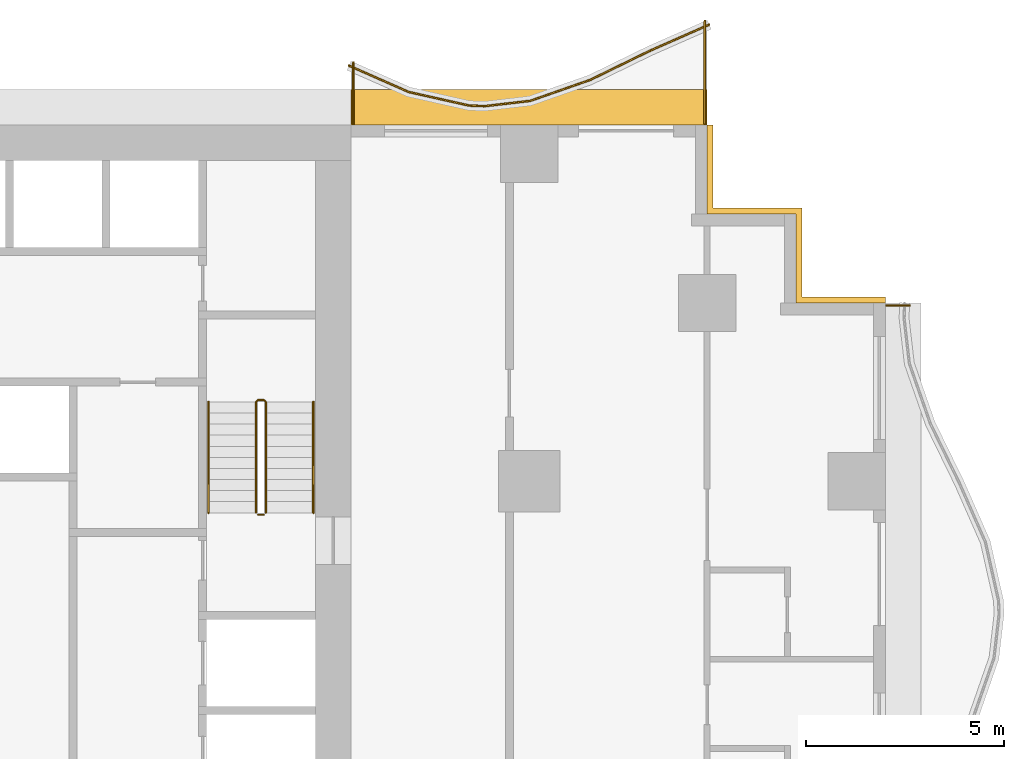
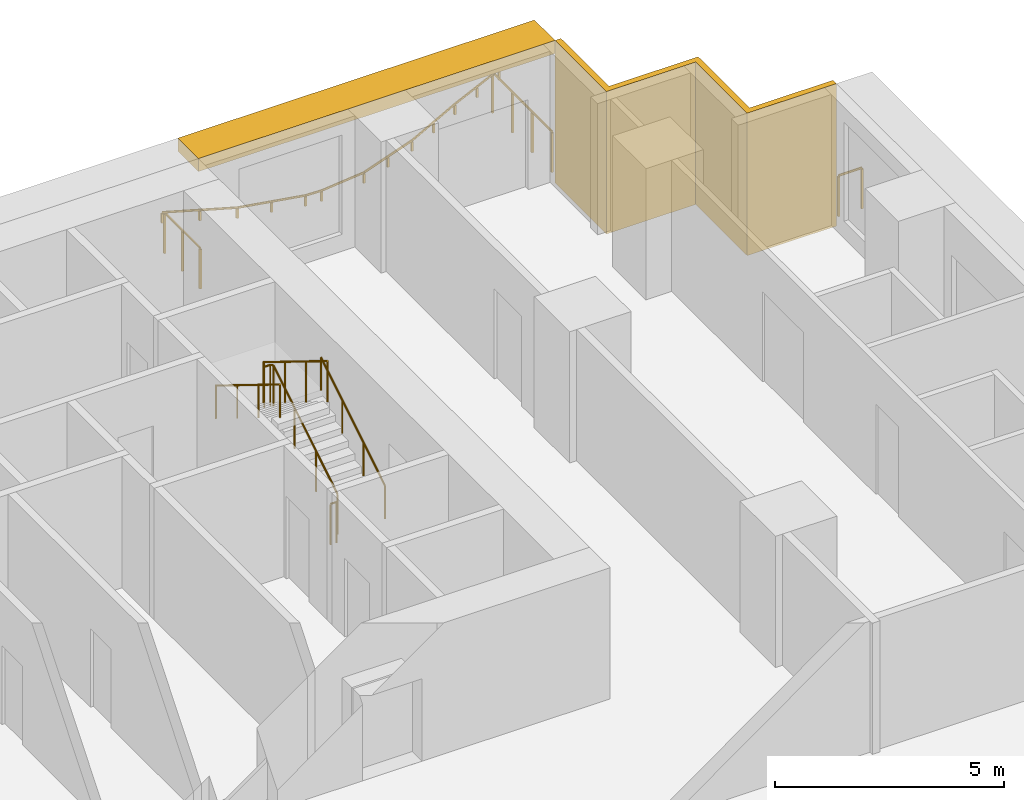
# One storey, part 14 of 14: 8 railings, 2 shading devices.
"""IFC4 building model written with IfcOpenShell, lengths in metres."""

import ifcopenshell
import ifcopenshell.guid

model = None  # the IFC model being written
_history = None  # IfcOwnerHistory: only IFC2X3 demands one
_inside = {}  # id of a spatial element -> (the spatial element, [elements in it])
_under = {}  # id of a project, library or spatial element -> (it, [spatial elements below it])
_declared = {}  # id of a project -> (the project, [libraries it declares])
_typed = {}  # id of a type object -> (the type object, [elements of that type])
_made_of = {}  # id of a material, layer set ... -> (it, [elements and type objects made of it])


def new_model(schema):
    """Start an empty IFC model of exactly this schema.

    Asked for "IFC4X3", IfcOpenShell would pick the latest addendum, in which some entities
    have other attributes; the version numbers below select the first issue.
    IFC2X3 requires an IfcOwnerHistory on every rooted entity: one is made here for all.
    """
    global model, _history
    if schema == "IFC4X3":
        model = ifcopenshell.file(schema_version=(4, 3, 0, 0))
    else:
        model = ifcopenshell.file(schema=schema)
    _inside.clear()
    _under.clear()
    _declared.clear()
    _typed.clear()
    _made_of.clear()
    _history = None
    if model.schema == "IFC2X3":
        org = make("IfcOrganization", Name="unknown")
        user = make(
            "IfcPersonAndOrganization",
            ThePerson=make("IfcPerson", FamilyName="unknown"),
            TheOrganization=org,
        )
        app = make(
            "IfcApplication",
            ApplicationDeveloper=org,
            Version="unknown",
            ApplicationFullName="unknown",
            ApplicationIdentifier="unknown",
        )
        _history = make(
            "IfcOwnerHistory",
            OwningUser=user,
            OwningApplication=app,
            ChangeAction="ADDED",
            CreationDate=0,
        )
    return model


def make(cls, **values):
    """One entity of the class cls with the attributes given. An attribute that is None is left unset."""
    return model.create_entity(
        cls, **{name: value for name, value in values.items() if value is not None}
    )


def rooted(cls, **values):
    """An entity with a GlobalId (a new one), such as an element, a storey or a relation."""
    return make(cls, GlobalId=ifcopenshell.guid.new(), OwnerHistory=_history, **values)


def si_unit(unit_type, name, prefix=None):
    """IfcSIUnit, for example si_unit("LENGTHUNIT", "METRE", prefix="MILLI")."""
    return make("IfcSIUnit", UnitType=unit_type, Prefix=prefix, Name=name)


def assignment(units):
    """IfcUnitAssignment: the units of a project."""
    return None if units is None else make("IfcUnitAssignment", Units=units)


def point(xyz):
    """IfcCartesianPoint."""
    return None if xyz is None else make("IfcCartesianPoint", Coordinates=xyz)


def direction(xyz):
    """IfcDirection."""
    return None if xyz is None else make("IfcDirection", DirectionRatios=xyz)


def frame(location, z_axis=None, x_axis=None):
    """IfcAxis2Placement3D, a coordinate frame: its origin and axes. An axis left out is left unset."""
    return make(
        "IfcAxis2Placement3D",
        Location=point(location),
        Axis=direction(z_axis),
        RefDirection=direction(x_axis),
    )


def frame_2d(location, x_axis=None):
    """IfcAxis2Placement2D, a coordinate frame in the plane: its origin and x axis."""
    return make(
        "IfcAxis2Placement2D", Location=point(location), RefDirection=direction(x_axis)
    )


def origin():
    """The frame at (0, 0, 0) with its axes left unset."""
    return frame((0.0, 0.0, 0.0))


def origin_2d():
    """The frame at (0, 0) in the plane with its x axis left unset."""
    return frame_2d((0.0, 0.0))


def place(relative_to, where):
    """IfcLocalPlacement: puts the frame where relative to a parent placement (None: the world)."""
    return make(
        "IfcLocalPlacement", PlacementRelTo=relative_to, RelativePlacement=where
    )


def context(
    kind, dimensions, precision=None, world=None, true_north=None, identifier=None
):
    """IfcGeometricRepresentationContext, for example the 3D "Model" context."""
    return make(
        "IfcGeometricRepresentationContext",
        ContextIdentifier=identifier,
        ContextType=kind,
        CoordinateSpaceDimension=dimensions,
        Precision=precision,
        WorldCoordinateSystem=world,
        TrueNorth=true_north,
    )


def subcontext(parent, identifier, kind, view, scale=None):
    """IfcGeometricRepresentationSubContext, for example "Body" below "Model"."""
    return make(
        "IfcGeometricRepresentationSubContext",
        ContextIdentifier=identifier,
        ContextType=kind,
        ParentContext=parent,
        TargetScale=scale,
        TargetView=view,
    )


def project(units=None, contexts=None):
    """IfcProject with its units and contexts."""
    return rooted(
        "IfcProject",
        Name="project",
        RepresentationContexts=contexts,
        UnitsInContext=assignment(units),
    )


def spatial(cls, under=None, at=None, **own):
    """A site, building, storey or space (cls), placed at a placement, below another one or the project."""
    s = rooted(cls, ObjectPlacement=at, **own)
    if under is not None:
        _under.setdefault(under.id(), (under, []))[1].append(s)
    return s


def polyline(points):
    """IfcPolyline through the points."""
    return make("IfcPolyline", Points=[point(p) for p in points])


def profile(cls, at=None, kind="AREA", **sizes):
    """A parametric profile (cls). Its sizes go by their IFC names, for example OverallWidth=200.0."""
    return make(cls, ProfileType=kind, Position=at, **sizes)


def rectangle(**sizes):
    """IfcRectangleProfileDef."""
    return profile("IfcRectangleProfileDef", **sizes)


def circle(**sizes):
    """IfcCircleProfileDef."""
    return profile("IfcCircleProfileDef", **sizes)


def outline(outer, holes=None, kind="AREA"):
    """IfcArbitraryClosedProfileDef: a profile drawn as a closed curve; with holes, ...WithVoids."""
    if holes is None:
        return make("IfcArbitraryClosedProfileDef", ProfileType=kind, OuterCurve=outer)
    return make(
        "IfcArbitraryProfileDefWithVoids",
        ProfileType=kind,
        OuterCurve=outer,
        InnerCurves=holes,
    )


def extrude(swept, where, along, depth):
    """IfcExtrudedAreaSolid: the profile swept, set in the frame where, extruded along a direction by depth."""
    return make(
        "IfcExtrudedAreaSolid",
        SweptArea=swept,
        Position=where,
        ExtrudedDirection=direction(along),
        Depth=depth,
    )


def shape(context_of_items, identifier, shape_type, items):
    """IfcShapeRepresentation: the items that make up one representation, for example the "Body"."""
    return make(
        "IfcShapeRepresentation",
        ContextOfItems=context_of_items,
        RepresentationIdentifier=identifier,
        RepresentationType=shape_type,
        Items=items,
    )


def material(Name=None, Category=None):
    """IfcMaterial."""
    return make("IfcMaterial", Name=Name, Category=Category)


def layer(
    of_material, thickness, ventilated=None, Name=None, Category=None, Priority=None
):
    """IfcMaterialLayer: one layer of a wall or slab, of a material (None: an air gap)."""
    return make(
        "IfcMaterialLayer",
        Material=of_material,
        LayerThickness=thickness,
        IsVentilated=ventilated,
        Name=Name,
        Category=Category,
        Priority=Priority,
    )


def layer_set(layers, Name=None):
    """IfcMaterialLayerSet."""
    return make("IfcMaterialLayerSet", MaterialLayers=layers, LayerSetName=Name)


def made_of(thing, what):
    """Note that an element or type object is made of a material, layer set ...; save() writes the relation."""
    if what is not None:
        _made_of.setdefault(what.id(), (what, []))[1].append(thing)
    return thing


def type_object(cls, material=None, **own):
    """A type object (cls), such as IfcWallType, which elements share."""
    return made_of(rooted(cls, **own), material)


def element(
    cls,
    number,
    at=None,
    inside=None,
    cuts=None,
    type_object=None,
    material=None,
    context=None,
    identifier="Body",
    shape_type=None,
    held_by="IfcProductDefinitionShape",
    body=None,
    shapes=None,
    **own,
):
    """One element of the class cls, such as IfcWall. Its Tag is "e" and its number.

    at: its placement. inside: the storey or other place that contains it. cuts: it is an
    opening in that element (IfcRelVoidsElement). A single representation is given by context,
    identifier, shape_type and body (its items); several are given by shapes. held_by: the class
    of the entity that holds the representations. save() writes the other relations.
    """
    e = rooted(cls, Tag="e%d" % number, ObjectPlacement=at, **own)
    if body is not None:
        shapes = [shape(context, identifier, shape_type, body)]
    if shapes is not None:
        e.Representation = make(held_by, Representations=shapes)
    if inside is not None:
        _inside.setdefault(inside.id(), (inside, []))[1].append(e)
    if cuts is not None:
        rooted(
            "IfcRelVoidsElement", RelatingBuildingElement=cuts, RelatedOpeningElement=e
        )
    if type_object is not None:
        _typed.setdefault(type_object.id(), (type_object, []))[1].append(e)
    return made_of(e, material)


def aggregate(whole, parts):
    """IfcRelAggregates: a whole, such as a stair, and the parts it consists of."""
    return rooted("IfcRelAggregates", RelatingObject=whole, RelatedObjects=parts)


def save(model, path):
    """Write the relations noted so far, then the file.

    IfcRelAggregates (storeys below a building ...), IfcRelContainedInSpatialStructure (elements
    in a storey), IfcRelDefinesByType, IfcRelAssociatesMaterial and IfcRelDeclares: one each for
    every whole, place, type object, material and project.
    """
    for whole, parts in _under.values():
        aggregate(whole, parts)
    for where, things in _inside.values():
        rooted(
            "IfcRelContainedInSpatialStructure",
            RelatedElements=things,
            RelatingStructure=where,
        )
    for kind, things in _typed.values():
        rooted("IfcRelDefinesByType", RelatedObjects=things, RelatingType=kind)
    for what, things in _made_of.values():
        rooted("IfcRelAssociatesMaterial", RelatedObjects=things, RelatingMaterial=what)
    for by, libraries in _declared.values():
        rooted("IfcRelDeclares", RelatingContext=by, RelatedDefinitions=libraries)
    model.write(path)


model = new_model("IFC4")

# Units and contexts
model_context = context("Model", 3, precision=1e-05, world=origin(), true_north=direction((0.0, 1.0)))
body_context = subcontext(model_context, "Body", "Model", "MODEL_VIEW")
ifc_project = project(units=[si_unit("LENGTHUNIT", "METRE"), si_unit("AREAUNIT", "SQUARE_METRE"), si_unit("VOLUMEUNIT", "CUBIC_METRE"), si_unit("PLANEANGLEUNIT", "RADIAN"), si_unit("MASSUNIT", "GRAM", prefix="KILO")], contexts=[model_context])

# Site, building, storey
site_placement = place(None, origin())
site = spatial("IfcSite", under=ifc_project, at=site_placement, CompositionType="ELEMENT")
building_placement = place(site_placement, origin())
building = spatial("IfcBuilding", under=site, at=building_placement, Name="Orbiselva Terraces", CompositionType="ELEMENT")
storey_placement = place(building_placement, frame((0.0, 0.0, 26.4)))
storey = spatial("IfcBuildingStorey", under=building, at=storey_placement, Name="L06", CompositionType="ELEMENT", Elevation=26.4)

# Railings
ifc_material_1 = material(Name="Stainless steel", Category="steel")
railing_type_1 = type_object("IfcRailingType", Name="CORE-GUARD-1100", PredefinedType="GUARDRAIL", material=ifc_material_1)
railing_1_placement = place(storey_placement, frame((11.35, 12.7, 0.172727)))
element("IfcRailing", 1, at=railing_1_placement, inside=storey, type_object=railing_type_1, Name="L06 S2 stair guard 1", PredefinedType="GUARDRAIL", context=body_context, shape_type="SweptSolid", body=[
    extrude(circle(Radius=0.024, at=origin_2d()), frame((0.0, 0.0, 1.081), z_axis=(0.0, 0.851088519012, 0.52502222125), x_axis=(-1.0, 0.0, 0.0)), (0.0, 0.0, 1.0), 3.289905),
    extrude(circle(Radius=0.024, at=origin_2d()), frame((0.0, 2.8, 2.808273), z_axis=(-0.707106781187, 0.707106781187, 0.0), x_axis=(-0.707106781187, -0.707106781187, 0.0)), (0.0, 0.0, 1.0), 0.070711),
    extrude(circle(Radius=0.024, at=origin_2d()), frame((-0.05, 2.85, 2.808273), z_axis=(-1.0, 0.0, 0.0), x_axis=(0.0, -1.0, 0.0)), (0.0, 0.0, 1.0), 0.15),
    extrude(circle(Radius=0.024, at=origin_2d()), frame((-0.2, 2.85, 2.808273), z_axis=(-0.267894925557, -0.267894925557, 0.925453736133), x_axis=(0.707106781187, -0.707106781187, 0.0)), (0.0, 0.0, 1.0), 0.18664),
    extrude(circle(Radius=0.024, at=origin_2d()), frame((-0.25, 2.8, 2.981), z_axis=(0.0, -0.851088519012, 0.52502222125), x_axis=(1.0, 0.0, 0.0)), (0.0, 0.0, 1.0), 3.289905),
    extrude(circle(Radius=0.021, at=origin_2d()), origin(), (0.0, 0.0, 1.0), 1.057),
    extrude(circle(Radius=0.021, at=origin_2d()), frame((0.0, 0.933333, 0.575758)), (0.0, 0.0, 1.0), 1.057),
    extrude(circle(Radius=0.021, at=origin_2d()), frame((0.0, 1.866667, 1.151515)), (0.0, 0.0, 1.0), 1.057),
    extrude(circle(Radius=0.021, at=origin_2d()), frame((0.0, 2.8, 1.727273)), (0.0, 0.0, 1.0), 1.057),
    extrude(circle(Radius=0.021, at=origin_2d()), frame((-0.05, 2.85, 1.727273)), (0.0, 0.0, 1.0), 1.057),
    extrude(circle(Radius=0.021, at=origin_2d()), frame((-0.2, 2.85, 1.727273)), (0.0, 0.0, 1.0), 1.057),
    extrude(circle(Radius=0.021, at=origin_2d()), frame((-0.25, 2.8, 1.9)), (0.0, 0.0, 1.0), 1.057),
    extrude(circle(Radius=0.021, at=origin_2d()), frame((-0.25, 1.866667, 2.475758)), (0.0, 0.0, 1.0), 1.057),
    extrude(circle(Radius=0.021, at=origin_2d()), frame((-0.25, 0.933333, 3.051515)), (0.0, 0.0, 1.0), 1.057),
    extrude(circle(Radius=0.021, at=origin_2d()), frame((-0.25, 0.0, 3.627273)), (0.0, 0.0, 1.0), 1.057),
])
railing_2_placement = place(storey_placement, frame((11.3, 12.65, 0.0)))
element("IfcRailing", 2, at=railing_2_placement, inside=storey, type_object=railing_type_1, Name="L06 S2 stair guard 2", PredefinedType="GUARDRAIL", context=body_context, shape_type="SweptSolid", body=[
    extrude(circle(Radius=0.024, at=origin_2d()), frame((0.0, 0.0, 1.081), z_axis=(-1.0, 0.0, 0.0), x_axis=(0.0, -1.0, 0.0)), (0.0, 0.0, 1.0), 0.15),
    extrude(circle(Radius=0.021, at=origin_2d()), origin(), (0.0, 0.0, 1.0), 1.057),
    extrude(circle(Radius=0.021, at=origin_2d()), frame((-0.15, 0.0, 0.0)), (0.0, 0.0, 1.0), 1.057),
])
railing_type_2 = type_object("IfcRailingType", Name="CORE-HANDRAIL-900", PredefinedType="HANDRAIL", material=ifc_material_1)
railing_3_placement = place(storey_placement, frame((12.55, 12.7, 0.172727)))
element("IfcRailing", 3, at=railing_3_placement, inside=storey, type_object=railing_type_2, Name="L06 S2 stair handrail 1", PredefinedType="HANDRAIL", context=body_context, shape_type="SweptSolid", body=[
    extrude(circle(Radius=0.024, at=origin_2d()), frame((0.0, 0.0, 0.876), z_axis=(0.0, 0.851088519012, 0.52502222125), x_axis=(-1.0, 0.0, 0.0)), (0.0, 0.0, 1.0), 3.289905),
    extrude(circle(Radius=0.021, at=origin_2d()), origin(), (0.0, 0.0, 1.0), 0.852),
    extrude(circle(Radius=0.021, at=origin_2d()), frame((0.0, 0.933333, 0.575758)), (0.0, 0.0, 1.0), 0.852),
    extrude(circle(Radius=0.021, at=origin_2d()), frame((0.0, 1.866667, 1.151515)), (0.0, 0.0, 1.0), 0.852),
    extrude(circle(Radius=0.021, at=origin_2d()), frame((0.0, 2.8, 1.727273)), (0.0, 0.0, 1.0), 0.852),
])
railing_4_placement = place(storey_placement, frame((9.9, 15.5, 2.072727)))
element("IfcRailing", 4, at=railing_4_placement, inside=storey, type_object=railing_type_2, Name="L06 S2 stair handrail 2", PredefinedType="HANDRAIL", context=body_context, shape_type="SweptSolid", body=[
    extrude(circle(Radius=0.024, at=origin_2d()), frame((0.0, 0.0, 0.876), z_axis=(0.0, -0.851088519012, 0.52502222125), x_axis=(1.0, 0.0, 0.0)), (0.0, 0.0, 1.0), 3.289905),
    extrude(circle(Radius=0.021, at=origin_2d()), origin(), (0.0, 0.0, 1.0), 0.852),
    extrude(circle(Radius=0.021, at=origin_2d()), frame((0.0, -0.933333, 0.575758)), (0.0, 0.0, 1.0), 0.852),
    extrude(circle(Radius=0.021, at=origin_2d()), frame((0.0, -1.866667, 1.151515)), (0.0, 0.0, 1.0), 0.852),
    extrude(circle(Radius=0.021, at=origin_2d()), frame((0.0, -2.8, 1.727273)), (0.0, 0.0, 1.0), 0.852),
])
ifc_material_2 = material(Name="Bonded two-ply safety glass balustrade, stainless steel posts", Category="steel")
railing_type_3 = type_object("IfcRailingType", Name="ENV-BALUSTRADE-1200", PredefinedType="BALUSTRADE", material=ifc_material_2)
railing_5_placement = place(storey_placement, frame((22.550394, 25.034136, 0.9)))
element("IfcRailing", 5, at=railing_5_placement, inside=storey, type_object=railing_type_3, Name="Balcony balustrade L06 NE", PredefinedType="BALUSTRADE", context=body_context, shape_type="SweptSolid", body=[
    extrude(outline(polyline([(0.028868, 0.0), (0.014434, 0.025), (-0.014434, 0.025), (-0.028868, 0.0), (-0.014434, -0.025), (0.014434, -0.025), (0.028868, 0.0)])), frame((0.0, 0.0, 0.275), z_axis=(-0.915133498047, -0.403150940408, 0.0), x_axis=(0.403150940408, -0.915133498047, 0.0)), (0.0, 0.0, 1.0), 1.636648),
    extrude(outline(polyline([(0.028868, 0.0), (0.014434, 0.025), (-0.014434, 0.025), (-0.028868, 0.0), (-0.014434, -0.025), (0.014434, -0.025), (0.028868, 0.0)])), frame((-1.497751, -0.659816, 0.275), z_axis=(-0.898578870221, -0.438812048596, 0.0), x_axis=(0.438812048596, -0.898578870221, 0.0)), (0.0, 0.0, 1.0), 1.674225),
    extrude(outline(polyline([(0.028868, 0.0), (0.014434, 0.025), (-0.014434, 0.025), (-0.028868, 0.0), (-0.014434, -0.025), (0.014434, -0.025), (0.028868, 0.0)])), frame((-3.002174, -1.394486, 0.275), z_axis=(-0.943972332783, -0.330024597479, 0.0), x_axis=(0.330024597479, -0.943972332783, 0.0)), (0.0, 0.0, 1.0), 1.610253),
    extrude(outline(polyline([(0.028868, 0.0), (0.014434, 0.025), (-0.014434, 0.025), (-0.028868, 0.0), (-0.014434, -0.025), (0.014434, -0.025), (0.028868, 0.0)])), frame((-4.522208, -1.925909, 0.275), z_axis=(-0.993309551734, -0.115482182324, 0.0), x_axis=(0.115482182324, -0.993309551734, 0.0)), (0.0, 0.0, 1.0), 1.156135),
    extrude(outline(polyline([(0.028868, 0.0), (0.014434, 0.025), (-0.014434, 0.025), (-0.028868, 0.0), (-0.014434, -0.025), (0.014434, -0.025), (0.028868, 0.0)])), frame((-5.670608, -2.059422, 0.275), z_axis=(-0.999224734286, 0.03936915532, 0.0), x_axis=(-0.03936915532, -0.999224734286, 0.0)), (0.0, 0.0, 1.0), 0.396376),
    extrude(outline(polyline([(0.028868, 0.0), (0.014434, 0.025), (-0.014434, 0.025), (-0.028868, 0.0), (-0.014434, -0.025), (0.014434, -0.025), (0.028868, 0.0)])), frame((-6.066677, -2.043817, 0.275), z_axis=(-0.97572137947, 0.219015500924, 0.0), x_axis=(-0.219015500924, -0.97572137947, 0.0)), (0.0, 0.0, 1.0), 1.560867),
    extrude(outline(polyline([(0.028868, 0.0), (0.014434, 0.025), (-0.014434, 0.025), (-0.028868, 0.0), (-0.014434, -0.025), (0.014434, -0.025), (0.028868, 0.0)])), frame((-7.589648, -1.701963, 0.275), z_axis=(-0.915133578754, 0.403150757208, 0.0), x_axis=(-0.403150757208, -0.915133578754, 0.0)), (0.0, 0.0, 1.0), 1.651278),
    extrude(rectangle(XDim=0.05, YDim=0.05, at=origin_2d()), origin(), (0.0, 0.0, 1.0), 0.25),
    extrude(rectangle(XDim=0.05, YDim=0.05, at=origin_2d()), frame((-0.748876, -0.329908, 0.0)), (0.0, 0.0, 1.0), 0.25),
    extrude(rectangle(XDim=0.05, YDim=0.05, at=origin_2d()), frame((-1.497751, -0.659816, 0.0)), (0.0, 0.0, 1.0), 0.25),
    extrude(rectangle(XDim=0.05, YDim=0.05, at=origin_2d()), frame((-2.249963, -1.027151, 0.0)), (0.0, 0.0, 1.0), 0.25),
    extrude(rectangle(XDim=0.05, YDim=0.05, at=origin_2d()), frame((-3.002174, -1.394486, 0.0)), (0.0, 0.0, 1.0), 0.25),
    extrude(rectangle(XDim=0.05, YDim=0.05, at=origin_2d()), frame((-3.762191, -1.660198, 0.0)), (0.0, 0.0, 1.0), 0.25),
    extrude(rectangle(XDim=0.05, YDim=0.05, at=origin_2d()), frame((-4.522208, -1.925909, 0.0)), (0.0, 0.0, 1.0), 0.25),
    extrude(rectangle(XDim=0.05, YDim=0.05, at=origin_2d()), frame((-5.670608, -2.059422, 0.0)), (0.0, 0.0, 1.0), 0.25),
    extrude(rectangle(XDim=0.05, YDim=0.05, at=origin_2d()), frame((-6.066677, -2.043817, 0.0)), (0.0, 0.0, 1.0), 0.25),
    extrude(rectangle(XDim=0.05, YDim=0.05, at=origin_2d()), frame((-6.828163, -1.87289, 0.0)), (0.0, 0.0, 1.0), 0.25),
    extrude(rectangle(XDim=0.05, YDim=0.05, at=origin_2d()), frame((-7.589648, -1.701963, 0.0)), (0.0, 0.0, 1.0), 0.25),
    extrude(rectangle(XDim=0.05, YDim=0.05, at=origin_2d()), frame((-8.345218, -1.369106, 0.0)), (0.0, 0.0, 1.0), 0.25),
    extrude(rectangle(XDim=0.05, YDim=0.05, at=origin_2d()), frame((-9.100788, -1.036249, 0.0)), (0.0, 0.0, 1.0), 0.25),
])
ifc_material_3 = material(Name="Stainless steel rail and posts", Category="steel")
railing_type_4 = type_object("IfcRailingType", Name="ENV-GUARD-1105", PredefinedType="BALUSTRADE", material=ifc_material_3)
railing_6_placement = place(storey_placement, frame((27.610431, 17.94, 0.0)))
element("IfcRailing", 6, at=railing_6_placement, inside=storey, type_object=railing_type_4, Name="Balcony end guard L06 E", PredefinedType="BALUSTRADE", context=body_context, shape_type="SweptSolid", body=[
    extrude(outline(polyline([(0.028868, 0.0), (0.014434, 0.025), (-0.014434, 0.025), (-0.028868, 0.0), (-0.014434, -0.025), (0.014434, -0.025), (0.028868, 0.0)])), frame((0.0, 0.0, 1.08), z_axis=(-1.0, 0.0, 0.0), x_axis=(0.0, -1.0, 0.0)), (0.0, 0.0, 1.0), 0.585431),
    extrude(rectangle(XDim=0.05, YDim=0.05, at=origin_2d()), origin(), (0.0, 0.0, 1.0), 1.055),
    extrude(rectangle(XDim=0.05, YDim=0.05, at=origin_2d()), frame((-0.585431, 0.0, 0.0)), (0.0, 0.0, 1.0), 1.055),
])
railing_7_placement = place(storey_placement, frame((22.44, 25.126937, 0.0)))
element("IfcRailing", 7, at=railing_7_placement, inside=storey, type_object=railing_type_4, Name="Balcony end guard L06 NE", PredefinedType="BALUSTRADE", context=body_context, shape_type="SweptSolid", body=[
    extrude(outline(polyline([(0.028868, 0.0), (0.014434, 0.025), (-0.014434, 0.025), (-0.028868, 0.0), (-0.014434, -0.025), (0.014434, -0.025), (0.028868, 0.0)])), frame((0.0, 0.0, 1.08), z_axis=(0.0, -1.0, 0.0), x_axis=(1.0, 0.0, 0.0)), (0.0, 0.0, 1.0), 2.601937),
    extrude(rectangle(XDim=0.05, YDim=0.05, at=origin_2d()), origin(), (0.0, 0.0, 1.0), 1.055),
    extrude(rectangle(XDim=0.05, YDim=0.05, at=origin_2d()), frame((0.0, -0.867312, 0.0)), (0.0, 0.0, 1.0), 1.055),
    extrude(rectangle(XDim=0.05, YDim=0.05, at=origin_2d()), frame((0.0, -1.734625, 0.0)), (0.0, 0.0, 1.0), 1.055),
    extrude(rectangle(XDim=0.05, YDim=0.05, at=origin_2d()), frame((0.0, -2.601937, 0.0)), (0.0, 0.0, 1.0), 1.055),
])
railing_8_placement = place(storey_placement, frame((13.56, 24.082553, 0.0)))
element("IfcRailing", 8, at=railing_8_placement, inside=storey, type_object=railing_type_4, Name="Balcony end guard L06 NE", PredefinedType="BALUSTRADE", context=body_context, shape_type="SweptSolid", body=[
    extrude(outline(polyline([(0.028868, 0.0), (0.014434, 0.025), (-0.014434, 0.025), (-0.028868, 0.0), (-0.014434, -0.025), (0.014434, -0.025), (0.028868, 0.0)])), frame((0.0, 0.0, 1.08), z_axis=(0.0, -1.0, 0.0), x_axis=(1.0, 0.0, 0.0)), (0.0, 0.0, 1.0), 1.557553),
    extrude(rectangle(XDim=0.05, YDim=0.05, at=origin_2d()), origin(), (0.0, 0.0, 1.0), 1.055),
    extrude(rectangle(XDim=0.05, YDim=0.05, at=origin_2d()), frame((0.0, -0.778777, 0.0)), (0.0, 0.0, 1.0), 1.055),
    extrude(rectangle(XDim=0.05, YDim=0.05, at=origin_2d()), frame((0.0, -1.557553, 0.0)), (0.0, 0.0, 1.0), 1.055),
])

# Shading devices
ifc_material_4 = material(Name="Terracotta louvre screen", Category="masonry")
ifc_layer_1 = layer(ifc_material_4, 0.15)
ifc_layer_set_1 = layer_set([ifc_layer_1], Name="Terracotta louvre screen")
shading_device_type_1 = type_object("IfcShadingDeviceType", Name="ENV-SCREEN-150", PredefinedType="USERDEFINED", material=ifc_layer_set_1)
shading_device_1_placement = place(storey_placement, frame((0.0, 0.0, -0.3)))
element("IfcShadingDevice", 9, at=shading_device_1_placement, inside=storey, type_object=shading_device_type_1, Name="Louvre screen L06 NE", ObjectType="SCREEN", PredefinedType="USERDEFINED", context=body_context, shape_type="SweptSolid", body=[
    extrude(outline(polyline([(27.0, 18.15), (24.9, 18.15), (24.9, 20.4), (22.65, 20.4), (22.65, 22.5), (22.5, 22.5), (22.5, 20.25), (24.75, 20.25), (24.75, 18.0), (27.0, 18.0), (27.0, 18.15)])), origin(), (0.0, 0.0, 1.0), 3.8),
])
ifc_material_5 = material(Name="Terracotta baguette sunshade", Category="masonry")
ifc_layer_2 = layer(ifc_material_5, 0.35)
ifc_layer_set_2 = layer_set([ifc_layer_2], Name="Terracotta baguette sunshade")
shading_device_type_2 = type_object("IfcShadingDeviceType", Name="ENV-SUNSHADE-900x350", PredefinedType="USERDEFINED", material=ifc_layer_set_2)
shading_device_2_placement = place(storey_placement, frame((0.0, 0.0, 3.15)))
element("IfcShadingDevice", 10, at=shading_device_2_placement, inside=storey, type_object=shading_device_type_2, Name="Sunshade band L06 NE", ObjectType="SUNSHADE", PredefinedType="USERDEFINED", context=body_context, shape_type="SweptSolid", body=[
    extrude(outline(polyline([(22.5, 23.4), (13.5, 23.4), (13.5, 22.5), (22.5, 22.5), (22.5, 23.4)])), origin(), (0.0, 0.0, 1.0), 0.35),
])

save(model, "model.ifc")
